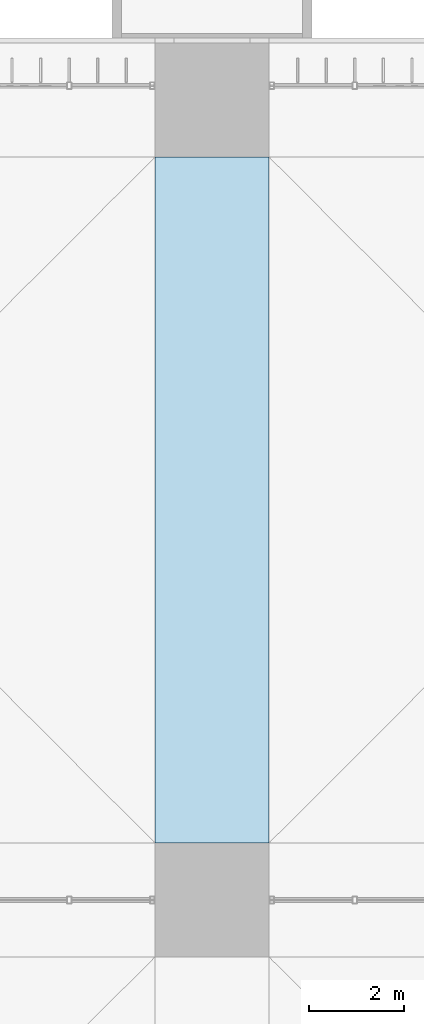
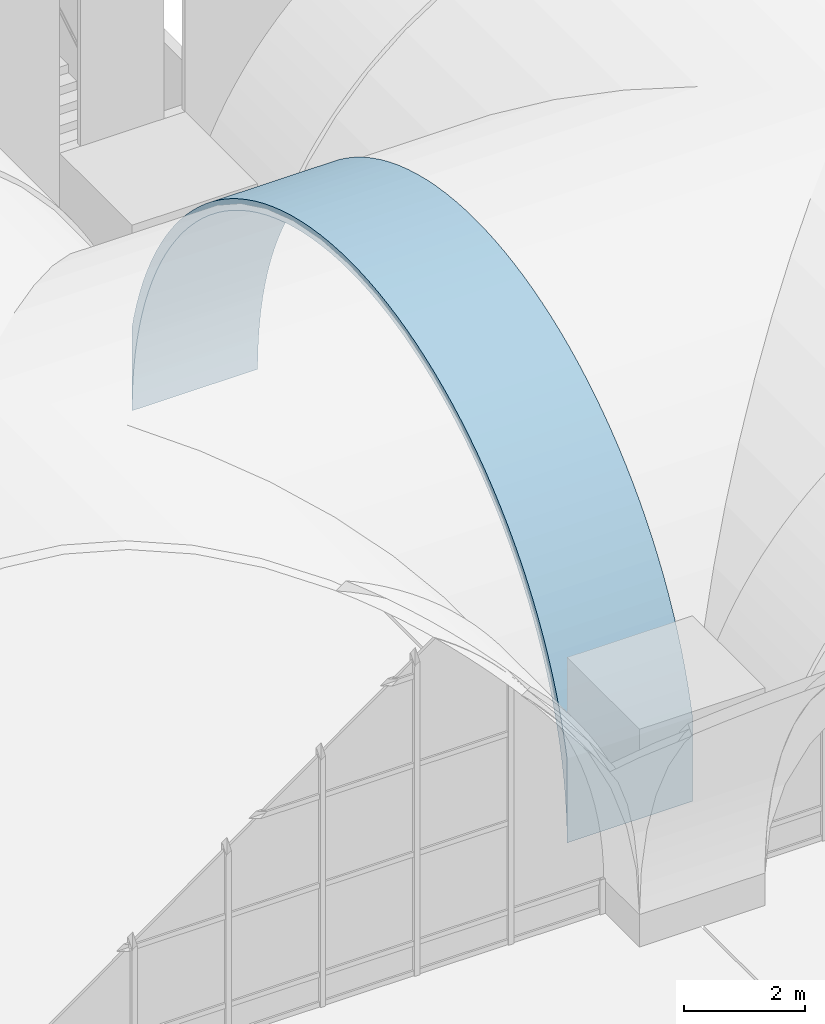
# One storey, part 120 of 169: 1 roof.
"""IFC4 building model written with IfcOpenShell, lengths in metres."""

from ifc_helpers import new_model, si_unit, direction, frame, origin, place, context, subcontext, project, spatial, polygons, material, layer, layer_set, type_object, element, save


model = new_model("IFC4")

# Units and contexts
model_context = context("Model", 3, precision=1e-05, world=origin(), true_north=direction((0.0, 1.0)))
body_context = subcontext(model_context, "Body", "Model", "MODEL_VIEW")
ifc_project = project(units=[si_unit("LENGTHUNIT", "METRE"), si_unit("AREAUNIT", "SQUARE_METRE"), si_unit("VOLUMEUNIT", "CUBIC_METRE"), si_unit("PLANEANGLEUNIT", "RADIAN"), si_unit("MASSUNIT", "GRAM", prefix="KILO")], contexts=[model_context])

# Site, building, storey
site_placement = place(None, origin())
site = spatial("IfcSite", under=ifc_project, at=site_placement, CompositionType="ELEMENT")
building_placement = place(site_placement, origin())
building = spatial("IfcBuilding", under=site, at=building_placement, Name="Verrick Yard Athletic Hall", CompositionType="ELEMENT")
storey_placement = place(building_placement, frame((0.0, 0.0, 4.39990234375)))
storey = spatial("IfcBuildingStorey", under=building, at=storey_placement, Name="L01", CompositionType="ELEMENT", Elevation=4.39990234375)

# Roof
ifc_material = material(Name="Concrete 35 MPa", Category="concrete")
ifc_layer = layer(ifc_material, 0.199951171875)
ifc_layer_set = layer_set([ifc_layer], Name="Arch rib 200")
roof_type = type_object("IfcRoofType", Name="Arch rib 200", PredefinedType="BARREL_ROOF", material=ifc_layer_set)
roof_placement = place(storey_placement, origin())
element("IfcRoof", 1, at=roof_placement, inside=storey, type_object=roof_type, Name="Vault rib X3-2", PredefinedType="BARREL_ROOF", context=body_context, shape_type="Tessellation", body=[
    polygons([(74.800048828125, 37.199951171875, 2.352294921875), (74.800048828125, 37.199951171875, 0.650146484375), (74.800048828125, 37.206787109375, 0.964111328125), (74.800048828125, 37.227294921875, 1.277587890625), (74.800048828125, 37.26171875, 1.58984375), (74.800048828125, 37.309326171875, 1.900390625), (74.800048828125, 37.37060546875, 2.20849609375), (74.800048828125, 37.4453125, 2.513671875), (74.800048828125, 37.533203125, 2.815185546875), (74.800048828125, 37.63427734375, 3.112548828125), (74.800048828125, 37.748046875, 3.405517578125), (74.800048828125, 37.87451171875, 3.693115234375), (74.800048828125, 38.013427734375, 3.974609375), (74.800048828125, 38.16455078125, 4.25), (74.800048828125, 38.32763671875, 4.518798828125), (74.800048828125, 38.502197265625, 4.77978515625), (74.800048828125, 38.68798828125, 5.033203125), (74.800048828125, 38.884521484375, 5.278076171875), (74.800048828125, 39.091552734375, 5.514404296875), (74.800048828125, 39.308837890625, 5.7412109375), (74.800048828125, 39.535888671875, 5.95849609375), (74.800048828125, 39.77197265625, 6.16552734375), (74.800048828125, 40.016845703125, 6.3623046875), (74.800048828125, 40.270263671875, 6.548095703125), (74.800048828125, 40.531494140625, 6.722412109375), (74.800048828125, 40.800048828125, 6.885498046875), (74.800048828125, 41.075439453125, 7.03662109375), (74.800048828125, 41.357177734375, 7.175537109375), (74.800048828125, 41.644775390625, 7.302001953125), (74.800048828125, 41.9375, 7.416015625), (74.800048828125, 42.23486328125, 7.516845703125), (74.800048828125, 42.53662109375, 7.604736328125), (74.800048828125, 42.841552734375, 7.679443359375), (74.800048828125, 43.149658203125, 7.74072265625), (74.800048828125, 43.460205078125, 7.78857421875), (74.800048828125, 43.7724609375, 7.82275390625), (74.800048828125, 44.0859375, 7.84326171875), (74.800048828125, 44.39990234375, 7.85009765625), (74.800048828125, 44.714111328125, 7.84326171875), (74.800048828125, 45.027587890625, 7.82275390625), (74.800048828125, 45.33984375, 7.78857421875), (74.800048828125, 45.650390625, 7.74072265625), (74.800048828125, 45.95849609375, 7.679443359375), (74.800048828125, 46.263427734375, 7.604736328125), (74.800048828125, 46.565185546875, 7.516845703125), (74.800048828125, 46.862548828125, 7.416015625), (74.800048828125, 47.1552734375, 7.302001953125), (74.800048828125, 47.44287109375, 7.175537109375), (74.800048828125, 47.724609375, 7.03662109375), (74.800048828125, 48.0, 6.885498046875), (74.800048828125, 48.2685546875, 6.722412109375), (74.800048828125, 48.52978515625, 6.548095703125), (74.800048828125, 48.783203125, 6.3623046875), (74.800048828125, 49.028076171875, 6.16552734375), (74.800048828125, 49.26416015625, 5.95849609375), (74.800048828125, 49.4912109375, 5.7412109375), (74.800048828125, 49.70849609375, 5.514404296875), (74.800048828125, 49.91552734375, 5.278076171875), (74.800048828125, 50.112060546875, 5.033203125), (74.800048828125, 50.2978515625, 4.77978515625), (74.800048828125, 50.472412109375, 4.518798828125), (74.800048828125, 50.635498046875, 4.25), (74.800048828125, 50.78662109375, 3.974609375), (74.800048828125, 50.92529296875, 3.693115234375), (74.800048828125, 51.052001953125, 3.405517578125), (74.800048828125, 51.165771484375, 3.112548828125), (74.800048828125, 51.266845703125, 2.815185546875), (74.800048828125, 51.354736328125, 2.513671875), (74.800048828125, 51.42919921875, 2.20849609375), (74.800048828125, 51.490478515625, 1.900390625), (74.800048828125, 51.538330078125, 1.58984375), (74.800048828125, 51.572509765625, 1.277587890625), (74.800048828125, 51.593017578125, 0.964111328125), (74.800048828125, 51.60009765625, 0.650146484375), (74.800048828125, 51.60009765625, 2.352294921875), (74.800048828125, 51.5478515625, 2.5654296875), (74.800048828125, 51.45751953125, 2.875244140625), (74.800048828125, 51.353759765625, 3.180908203125), (74.800048828125, 51.23681640625, 3.48193359375), (74.800048828125, 51.106689453125, 3.777587890625), (74.800048828125, 50.9638671875, 4.06689453125), (74.800048828125, 50.80859375, 4.35009765625), (74.800048828125, 50.64111328125, 4.6259765625), (74.800048828125, 50.461669921875, 4.89453125), (74.800048828125, 50.270751953125, 5.15478515625), (74.800048828125, 50.068603515625, 5.40673828125), (74.800048828125, 49.85595703125, 5.6494140625), (74.800048828125, 49.632568359375, 5.8828125), (74.800048828125, 49.3994140625, 6.10595703125), (74.800048828125, 49.156494140625, 6.31884765625), (74.800048828125, 48.90478515625, 6.52099609375), (74.800048828125, 48.64453125, 6.7119140625), (74.800048828125, 48.3759765625, 6.89111328125), (74.800048828125, 48.10009765625, 7.05859375), (74.800048828125, 47.81689453125, 7.214111328125), (74.800048828125, 47.52734375, 7.356689453125), (74.800048828125, 47.23193359375, 7.48681640625), (74.800048828125, 46.930908203125, 7.603759765625), (74.800048828125, 46.625244140625, 7.70751953125), (74.800048828125, 46.315185546875, 7.798095703125), (74.800048828125, 46.001708984375, 7.874755859375), (74.800048828125, 45.68505859375, 7.937744140625), (74.800048828125, 45.365966796875, 7.98681640625), (74.800048828125, 45.044921875, 8.02197265625), (74.800048828125, 44.722900390625, 8.043212890625), (74.800048828125, 44.39990234375, 8.050048828125), (74.800048828125, 44.0771484375, 8.043212890625), (74.800048828125, 43.7548828125, 8.02197265625), (74.800048828125, 43.43408203125, 7.98681640625), (74.800048828125, 43.114990234375, 7.937744140625), (74.800048828125, 42.79833984375, 7.874755859375), (74.800048828125, 42.484619140625, 7.798095703125), (74.800048828125, 42.1748046875, 7.70751953125), (74.800048828125, 41.869140625, 7.603759765625), (74.800048828125, 41.568115234375, 7.48681640625), (74.800048828125, 41.272705078125, 7.356689453125), (74.800048828125, 40.983154296875, 7.214111328125), (74.800048828125, 40.699951171875, 7.05859375), (74.800048828125, 40.424072265625, 6.89111328125), (74.800048828125, 40.155517578125, 6.7119140625), (74.800048828125, 39.895263671875, 6.52099609375), (74.800048828125, 39.643310546875, 6.31884765625), (74.800048828125, 39.400634765625, 6.10595703125), (74.800048828125, 39.16748046875, 5.8828125), (74.800048828125, 38.944091796875, 5.6494140625), (74.800048828125, 38.731201171875, 5.40673828125), (74.800048828125, 38.529296875, 5.15478515625), (74.800048828125, 38.33837890625, 4.89453125), (74.800048828125, 38.158935546875, 4.6259765625), (74.800048828125, 37.991455078125, 4.35009765625), (74.800048828125, 37.836181640625, 4.06689453125), (74.800048828125, 37.693359375, 3.777587890625), (74.800048828125, 37.563232421875, 3.48193359375), (74.800048828125, 37.4462890625, 3.180908203125), (74.800048828125, 37.342529296875, 2.875244140625), (74.800048828125, 37.252197265625, 2.5654296875), (72.39990234375, 37.199951171875, 2.352294921875), (72.39990234375, 37.199951171875, 0.650146484375), (72.39990234375, 37.206787109375, 0.964111328125), (72.39990234375, 37.227294921875, 1.277587890625), (72.39990234375, 37.26171875, 1.58984375), (72.39990234375, 37.309326171875, 1.900390625), (72.39990234375, 37.37060546875, 2.20849609375), (72.39990234375, 37.4453125, 2.513671875), (72.39990234375, 37.533203125, 2.815185546875), (72.39990234375, 37.63427734375, 3.112548828125), (72.39990234375, 37.748046875, 3.405517578125), (72.39990234375, 37.87451171875, 3.693115234375), (72.39990234375, 38.013427734375, 3.974609375), (72.39990234375, 38.16455078125, 4.25), (72.39990234375, 38.32763671875, 4.518798828125), (72.39990234375, 38.502197265625, 4.77978515625), (72.39990234375, 38.68798828125, 5.033203125), (72.39990234375, 38.884521484375, 5.278076171875), (72.39990234375, 39.091552734375, 5.514404296875), (72.39990234375, 39.308837890625, 5.7412109375), (72.39990234375, 39.535888671875, 5.95849609375), (72.39990234375, 39.77197265625, 6.16552734375), (72.39990234375, 40.016845703125, 6.3623046875), (72.39990234375, 40.270263671875, 6.548095703125), (72.39990234375, 40.531494140625, 6.722412109375), (72.39990234375, 40.800048828125, 6.885498046875), (72.39990234375, 41.075439453125, 7.03662109375), (72.39990234375, 41.357177734375, 7.175537109375), (72.39990234375, 41.644775390625, 7.302001953125), (72.39990234375, 41.9375, 7.416015625), (72.39990234375, 42.23486328125, 7.516845703125), (72.39990234375, 42.53662109375, 7.604736328125), (72.39990234375, 42.841552734375, 7.679443359375), (72.39990234375, 43.149658203125, 7.74072265625), (72.39990234375, 43.460205078125, 7.78857421875), (72.39990234375, 43.7724609375, 7.82275390625), (72.39990234375, 44.0859375, 7.84326171875), (72.39990234375, 44.39990234375, 7.85009765625), (72.39990234375, 44.714111328125, 7.84326171875), (72.39990234375, 45.027587890625, 7.82275390625), (72.39990234375, 45.33984375, 7.78857421875), (72.39990234375, 45.650390625, 7.74072265625), (72.39990234375, 45.95849609375, 7.679443359375), (72.39990234375, 46.263427734375, 7.604736328125), (72.39990234375, 46.565185546875, 7.516845703125), (72.39990234375, 46.862548828125, 7.416015625), (72.39990234375, 47.1552734375, 7.302001953125), (72.39990234375, 47.44287109375, 7.175537109375), (72.39990234375, 47.724609375, 7.03662109375), (72.39990234375, 48.0, 6.885498046875), (72.39990234375, 48.2685546875, 6.722412109375), (72.39990234375, 48.52978515625, 6.548095703125), (72.39990234375, 48.783203125, 6.3623046875), (72.39990234375, 49.028076171875, 6.16552734375), (72.39990234375, 49.26416015625, 5.95849609375), (72.39990234375, 49.4912109375, 5.7412109375), (72.39990234375, 49.70849609375, 5.514404296875), (72.39990234375, 49.91552734375, 5.278076171875), (72.39990234375, 50.112060546875, 5.033203125), (72.39990234375, 50.2978515625, 4.77978515625), (72.39990234375, 50.472412109375, 4.518798828125), (72.39990234375, 50.635498046875, 4.25), (72.39990234375, 50.78662109375, 3.974609375), (72.39990234375, 50.92529296875, 3.693115234375), (72.39990234375, 51.052001953125, 3.405517578125), (72.39990234375, 51.165771484375, 3.112548828125), (72.39990234375, 51.266845703125, 2.815185546875), (72.39990234375, 51.354736328125, 2.513671875), (72.39990234375, 51.42919921875, 2.20849609375), (72.39990234375, 51.490478515625, 1.900390625), (72.39990234375, 51.538330078125, 1.58984375), (72.39990234375, 51.572509765625, 1.277587890625), (72.39990234375, 51.593017578125, 0.964111328125), (72.39990234375, 51.60009765625, 0.650146484375), (72.39990234375, 51.60009765625, 2.352294921875), (72.39990234375, 51.5478515625, 2.5654296875), (72.39990234375, 51.45751953125, 2.875244140625), (72.39990234375, 51.353759765625, 3.180908203125), (72.39990234375, 51.23681640625, 3.48193359375), (72.39990234375, 51.106689453125, 3.777587890625), (72.39990234375, 50.9638671875, 4.06689453125), (72.39990234375, 50.80859375, 4.35009765625), (72.39990234375, 50.64111328125, 4.6259765625), (72.39990234375, 50.461669921875, 4.89453125), (72.39990234375, 50.270751953125, 5.15478515625), (72.39990234375, 50.068603515625, 5.40673828125), (72.39990234375, 49.85595703125, 5.6494140625), (72.39990234375, 49.632568359375, 5.8828125), (72.39990234375, 49.3994140625, 6.10595703125), (72.39990234375, 49.156494140625, 6.31884765625), (72.39990234375, 48.90478515625, 6.52099609375), (72.39990234375, 48.64453125, 6.7119140625), (72.39990234375, 48.3759765625, 6.89111328125), (72.39990234375, 48.10009765625, 7.05859375), (72.39990234375, 47.81689453125, 7.214111328125), (72.39990234375, 47.52734375, 7.356689453125), (72.39990234375, 47.23193359375, 7.48681640625), (72.39990234375, 46.930908203125, 7.603759765625), (72.39990234375, 46.625244140625, 7.70751953125), (72.39990234375, 46.315185546875, 7.798095703125), (72.39990234375, 46.001708984375, 7.874755859375), (72.39990234375, 45.68505859375, 7.937744140625), (72.39990234375, 45.365966796875, 7.98681640625), (72.39990234375, 45.044921875, 8.02197265625), (72.39990234375, 44.722900390625, 8.043212890625), (72.39990234375, 44.39990234375, 8.050048828125), (72.39990234375, 44.0771484375, 8.043212890625), (72.39990234375, 43.7548828125, 8.02197265625), (72.39990234375, 43.43408203125, 7.98681640625), (72.39990234375, 43.114990234375, 7.937744140625), (72.39990234375, 42.79833984375, 7.874755859375), (72.39990234375, 42.484619140625, 7.798095703125), (72.39990234375, 42.1748046875, 7.70751953125), (72.39990234375, 41.869140625, 7.603759765625), (72.39990234375, 41.568115234375, 7.48681640625), (72.39990234375, 41.272705078125, 7.356689453125), (72.39990234375, 40.983154296875, 7.214111328125), (72.39990234375, 40.699951171875, 7.05859375), (72.39990234375, 40.424072265625, 6.89111328125), (72.39990234375, 40.155517578125, 6.7119140625), (72.39990234375, 39.895263671875, 6.52099609375), (72.39990234375, 39.643310546875, 6.31884765625), (72.39990234375, 39.400634765625, 6.10595703125), (72.39990234375, 39.16748046875, 5.8828125), (72.39990234375, 38.944091796875, 5.6494140625), (72.39990234375, 38.731201171875, 5.40673828125), (72.39990234375, 38.529296875, 5.15478515625), (72.39990234375, 38.33837890625, 4.89453125), (72.39990234375, 38.158935546875, 4.6259765625), (72.39990234375, 37.991455078125, 4.35009765625), (72.39990234375, 37.836181640625, 4.06689453125), (72.39990234375, 37.693359375, 3.777587890625), (72.39990234375, 37.563232421875, 3.48193359375), (72.39990234375, 37.4462890625, 3.180908203125), (72.39990234375, 37.342529296875, 2.875244140625), (72.39990234375, 37.252197265625, 2.5654296875)], [[[1, 2, 3]], [[137, 139, 138]], [[136, 1, 3]], [[272, 139, 137]], [[136, 3, 4]], [[272, 140, 139]], [[136, 4, 5]], [[272, 141, 140]], [[136, 5, 6]], [[272, 142, 141]], [[136, 6, 7]], [[272, 143, 142]], [[136, 7, 8]], [[272, 144, 143]], [[136, 8, 9]], [[272, 145, 144]], [[136, 9, 10]], [[272, 146, 145]], [[136, 10, 11]], [[272, 147, 146]], [[136, 11, 12]], [[272, 148, 147]], [[136, 12, 13]], [[272, 149, 148]], [[73, 74, 75]], [[209, 211, 210]], [[72, 73, 75]], [[208, 211, 209]], [[71, 72, 75]], [[207, 211, 208]], [[70, 71, 75]], [[206, 211, 207]], [[69, 70, 75]], [[205, 211, 206]], [[68, 69, 75]], [[204, 211, 205]], [[67, 68, 75]], [[203, 211, 204]], [[66, 67, 75]], [[202, 211, 203]], [[65, 66, 75]], [[201, 211, 202]], [[64, 65, 75]], [[200, 211, 201]], [[63, 64, 75]], [[199, 211, 200]], [[63, 75, 76]], [[199, 212, 211]], [[63, 76, 77]], [[199, 213, 212]], [[62, 63, 77]], [[198, 213, 199]], [[62, 77, 78]], [[198, 214, 213]], [[61, 62, 78]], [[197, 214, 198]], [[61, 78, 79]], [[197, 215, 214]], [[60, 61, 79]], [[196, 215, 197]], [[60, 79, 80]], [[196, 216, 215]], [[59, 60, 80]], [[195, 216, 196]], [[59, 80, 81]], [[195, 217, 216]], [[58, 59, 81]], [[194, 217, 195]], [[58, 81, 82]], [[194, 218, 217]], [[57, 58, 82]], [[193, 218, 194]], [[57, 82, 83]], [[193, 219, 218]], [[56, 57, 83]], [[192, 219, 193]], [[56, 83, 84]], [[192, 220, 219]], [[55, 56, 84]], [[191, 220, 192]], [[55, 84, 85]], [[191, 221, 220]], [[54, 55, 85]], [[190, 221, 191]], [[54, 85, 86]], [[190, 222, 221]], [[53, 54, 86]], [[189, 222, 190]], [[53, 86, 87]], [[189, 223, 222]], [[52, 53, 87]], [[188, 223, 189]], [[52, 87, 88]], [[188, 224, 223]], [[51, 52, 88]], [[187, 224, 188]], [[51, 88, 89]], [[187, 225, 224]], [[50, 51, 89]], [[186, 225, 187]], [[50, 89, 90]], [[186, 226, 225]], [[49, 50, 90]], [[185, 226, 186]], [[49, 90, 91]], [[185, 227, 226]], [[48, 49, 91]], [[184, 227, 185]], [[48, 91, 92]], [[184, 228, 227]], [[47, 48, 92]], [[183, 228, 184]], [[47, 92, 93]], [[183, 229, 228]], [[46, 47, 93]], [[182, 229, 183]], [[46, 93, 94]], [[182, 230, 229]], [[45, 46, 94]], [[181, 230, 182]], [[45, 94, 95]], [[181, 231, 230]], [[44, 45, 95]], [[180, 231, 181]], [[44, 95, 96]], [[180, 232, 231]], [[43, 44, 96]], [[179, 232, 180]], [[43, 96, 97]], [[179, 233, 232]], [[42, 43, 97]], [[178, 233, 179]], [[42, 97, 98]], [[178, 234, 233]], [[41, 42, 98]], [[177, 234, 178]], [[41, 98, 99]], [[177, 235, 234]], [[40, 41, 99]], [[176, 235, 177]], [[40, 99, 100]], [[176, 236, 235]], [[39, 40, 100]], [[175, 236, 176]], [[39, 100, 101]], [[175, 237, 236]], [[38, 39, 101]], [[174, 237, 175]], [[38, 101, 102]], [[174, 238, 237]], [[37, 38, 102]], [[173, 238, 174]], [[37, 102, 103]], [[173, 239, 238]], [[36, 37, 103]], [[172, 239, 173]], [[36, 103, 104]], [[172, 240, 239]], [[35, 36, 104]], [[171, 240, 172]], [[35, 104, 105]], [[171, 241, 240]], [[34, 35, 105]], [[170, 241, 171]], [[34, 105, 106]], [[170, 242, 241]], [[33, 34, 106]], [[169, 242, 170]], [[33, 106, 107]], [[169, 243, 242]], [[32, 33, 107]], [[168, 243, 169]], [[32, 107, 108]], [[168, 244, 243]], [[31, 32, 108]], [[167, 244, 168]], [[31, 108, 109]], [[167, 245, 244]], [[30, 31, 109]], [[166, 245, 167]], [[30, 109, 110]], [[166, 246, 245]], [[29, 30, 110]], [[165, 246, 166]], [[29, 110, 111]], [[165, 247, 246]], [[28, 29, 111]], [[164, 247, 165]], [[28, 111, 112]], [[164, 248, 247]], [[27, 28, 112]], [[163, 248, 164]], [[27, 112, 113]], [[163, 249, 248]], [[26, 27, 113]], [[162, 249, 163]], [[26, 113, 114]], [[162, 250, 249]], [[25, 26, 114]], [[161, 250, 162]], [[25, 114, 115]], [[161, 251, 250]], [[24, 25, 115]], [[160, 251, 161]], [[24, 115, 116]], [[160, 252, 251]], [[23, 24, 116]], [[159, 252, 160]], [[23, 116, 117]], [[159, 253, 252]], [[22, 23, 117]], [[158, 253, 159]], [[22, 117, 118]], [[158, 254, 253]], [[21, 22, 118]], [[157, 254, 158]], [[21, 118, 119]], [[157, 255, 254]], [[20, 21, 119]], [[156, 255, 157]], [[20, 119, 120]], [[156, 256, 255]], [[19, 20, 120]], [[155, 256, 156]], [[19, 120, 121]], [[155, 257, 256]], [[18, 19, 121]], [[154, 257, 155]], [[18, 121, 122]], [[154, 258, 257]], [[17, 18, 122]], [[153, 258, 154]], [[17, 122, 123]], [[153, 259, 258]], [[16, 17, 123]], [[152, 259, 153]], [[16, 123, 124]], [[152, 260, 259]], [[15, 16, 124]], [[151, 260, 152]], [[15, 124, 125]], [[151, 261, 260]], [[14, 15, 125]], [[150, 261, 151]], [[14, 125, 126]], [[150, 262, 261]], [[13, 14, 126]], [[149, 262, 150]], [[136, 13, 126]], [[272, 262, 149]], [[136, 126, 127]], [[272, 263, 262]], [[136, 127, 128]], [[272, 264, 263]], [[136, 128, 129]], [[272, 265, 264]], [[136, 129, 130]], [[272, 266, 265]], [[136, 130, 131]], [[272, 267, 266]], [[136, 131, 132]], [[272, 268, 267]], [[136, 132, 133]], [[272, 269, 268]], [[136, 133, 134]], [[272, 270, 269]], [[134, 135, 136]], [[270, 272, 271]], [[1, 138, 2]], [[1, 137, 138]], [[2, 139, 3]], [[2, 138, 139]], [[3, 140, 4]], [[3, 139, 140]], [[4, 141, 5]], [[4, 140, 141]], [[5, 142, 6]], [[5, 141, 142]], [[6, 143, 7]], [[6, 142, 143]], [[7, 144, 8]], [[7, 143, 144]], [[8, 145, 9]], [[8, 144, 145]], [[9, 146, 10]], [[9, 145, 146]], [[10, 147, 11]], [[10, 146, 147]], [[11, 148, 12]], [[11, 147, 148]], [[12, 149, 13]], [[12, 148, 149]], [[13, 150, 14]], [[13, 149, 150]], [[14, 151, 15]], [[14, 150, 151]], [[15, 152, 16]], [[15, 151, 152]], [[16, 153, 17]], [[16, 152, 153]], [[17, 154, 18]], [[17, 153, 154]], [[18, 155, 19]], [[18, 154, 155]], [[19, 156, 20]], [[19, 155, 156]], [[20, 157, 21]], [[20, 156, 157]], [[21, 158, 22]], [[21, 157, 158]], [[22, 159, 23]], [[22, 158, 159]], [[23, 160, 24]], [[23, 159, 160]], [[24, 161, 25]], [[24, 160, 161]], [[25, 162, 26]], [[25, 161, 162]], [[26, 163, 27]], [[26, 162, 163]], [[27, 164, 28]], [[27, 163, 164]], [[28, 165, 29]], [[28, 164, 165]], [[29, 166, 30]], [[29, 165, 166]], [[30, 167, 31]], [[30, 166, 167]], [[31, 168, 32]], [[31, 167, 168]], [[32, 169, 33]], [[32, 168, 169]], [[33, 170, 34]], [[33, 169, 170]], [[34, 171, 35]], [[34, 170, 171]], [[35, 172, 36]], [[35, 171, 172]], [[36, 173, 37]], [[36, 172, 173]], [[37, 174, 38]], [[37, 173, 174]], [[38, 175, 39]], [[38, 174, 175]], [[39, 176, 40]], [[39, 175, 176]], [[40, 177, 41]], [[40, 176, 177]], [[41, 178, 42]], [[41, 177, 178]], [[42, 179, 43]], [[42, 178, 179]], [[43, 180, 44]], [[43, 179, 180]], [[44, 181, 45]], [[44, 180, 181]], [[45, 182, 46]], [[45, 181, 182]], [[46, 183, 47]], [[46, 182, 183]], [[47, 184, 48]], [[47, 183, 184]], [[48, 185, 49]], [[48, 184, 185]], [[49, 186, 50]], [[49, 185, 186]], [[50, 187, 51]], [[50, 186, 187]], [[51, 188, 52]], [[51, 187, 188]], [[52, 189, 53]], [[52, 188, 189]], [[53, 190, 54]], [[53, 189, 190]], [[54, 191, 55]], [[54, 190, 191]], [[55, 192, 56]], [[55, 191, 192]], [[56, 193, 57]], [[56, 192, 193]], [[57, 194, 58]], [[57, 193, 194]], [[58, 195, 59]], [[58, 194, 195]], [[59, 196, 60]], [[59, 195, 196]], [[60, 197, 61]], [[60, 196, 197]], [[61, 198, 62]], [[61, 197, 198]], [[62, 199, 63]], [[62, 198, 199]], [[63, 200, 64]], [[63, 199, 200]], [[64, 201, 65]], [[64, 200, 201]], [[65, 202, 66]], [[65, 201, 202]], [[66, 203, 67]], [[66, 202, 203]], [[67, 204, 68]], [[67, 203, 204]], [[68, 205, 69]], [[68, 204, 205]], [[69, 206, 70]], [[69, 205, 206]], [[70, 207, 71]], [[70, 206, 207]], [[71, 208, 72]], [[71, 207, 208]], [[72, 209, 73]], [[72, 208, 209]], [[73, 210, 74]], [[73, 209, 210]], [[74, 211, 75]], [[74, 210, 211]], [[75, 212, 76]], [[75, 211, 212]], [[76, 213, 77]], [[76, 212, 213]], [[77, 214, 78]], [[77, 213, 214]], [[78, 215, 79]], [[78, 214, 215]], [[79, 216, 80]], [[79, 215, 216]], [[80, 217, 81]], [[80, 216, 217]], [[81, 218, 82]], [[81, 217, 218]], [[82, 219, 83]], [[82, 218, 219]], [[83, 220, 84]], [[83, 219, 220]], [[84, 221, 85]], [[84, 220, 221]], [[85, 222, 86]], [[85, 221, 222]], [[86, 223, 87]], [[86, 222, 223]], [[87, 224, 88]], [[87, 223, 224]], [[88, 225, 89]], [[88, 224, 225]], [[89, 226, 90]], [[89, 225, 226]], [[90, 227, 91]], [[90, 226, 227]], [[91, 228, 92]], [[91, 227, 228]], [[92, 229, 93]], [[92, 228, 229]], [[93, 230, 94]], [[93, 229, 230]], [[94, 231, 95]], [[94, 230, 231]], [[95, 232, 96]], [[95, 231, 232]], [[96, 233, 97]], [[96, 232, 233]], [[97, 234, 98]], [[97, 233, 234]], [[98, 235, 99]], [[98, 234, 235]], [[99, 236, 100]], [[99, 235, 236]], [[100, 237, 101]], [[100, 236, 237]], [[101, 238, 102]], [[101, 237, 238]], [[102, 239, 103]], [[102, 238, 239]], [[103, 240, 104]], [[103, 239, 240]], [[104, 241, 105]], [[104, 240, 241]], [[105, 242, 106]], [[105, 241, 242]], [[106, 243, 107]], [[106, 242, 243]], [[107, 244, 108]], [[107, 243, 244]], [[108, 245, 109]], [[108, 244, 245]], [[109, 246, 110]], [[109, 245, 246]], [[110, 247, 111]], [[110, 246, 247]], [[111, 248, 112]], [[111, 247, 248]], [[112, 249, 113]], [[112, 248, 249]], [[113, 250, 114]], [[113, 249, 250]], [[114, 251, 115]], [[114, 250, 251]], [[115, 252, 116]], [[115, 251, 252]], [[116, 253, 117]], [[116, 252, 253]], [[117, 254, 118]], [[117, 253, 254]], [[118, 255, 119]], [[118, 254, 255]], [[119, 256, 120]], [[119, 255, 256]], [[120, 257, 121]], [[120, 256, 257]], [[121, 258, 122]], [[121, 257, 258]], [[122, 259, 123]], [[122, 258, 259]], [[123, 260, 124]], [[123, 259, 260]], [[124, 261, 125]], [[124, 260, 261]], [[125, 262, 126]], [[125, 261, 262]], [[126, 263, 127]], [[126, 262, 263]], [[127, 264, 128]], [[127, 263, 264]], [[128, 265, 129]], [[128, 264, 265]], [[129, 266, 130]], [[129, 265, 266]], [[130, 267, 131]], [[130, 266, 267]], [[131, 268, 132]], [[131, 267, 268]], [[132, 269, 133]], [[132, 268, 269]], [[133, 270, 134]], [[133, 269, 270]], [[134, 271, 135]], [[134, 270, 271]], [[135, 272, 136]], [[135, 271, 272]], [[136, 137, 1]], [[136, 272, 137]]], closed=True),
])

save(model, "model.ifc")
